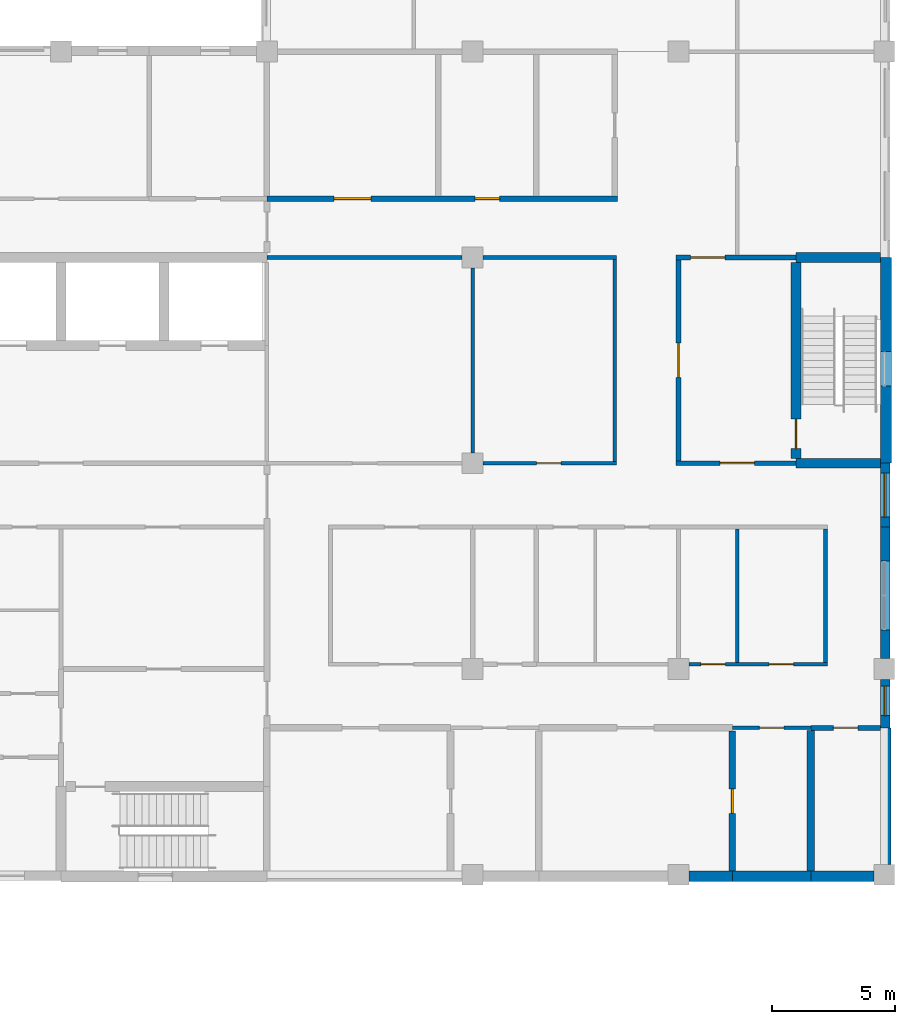
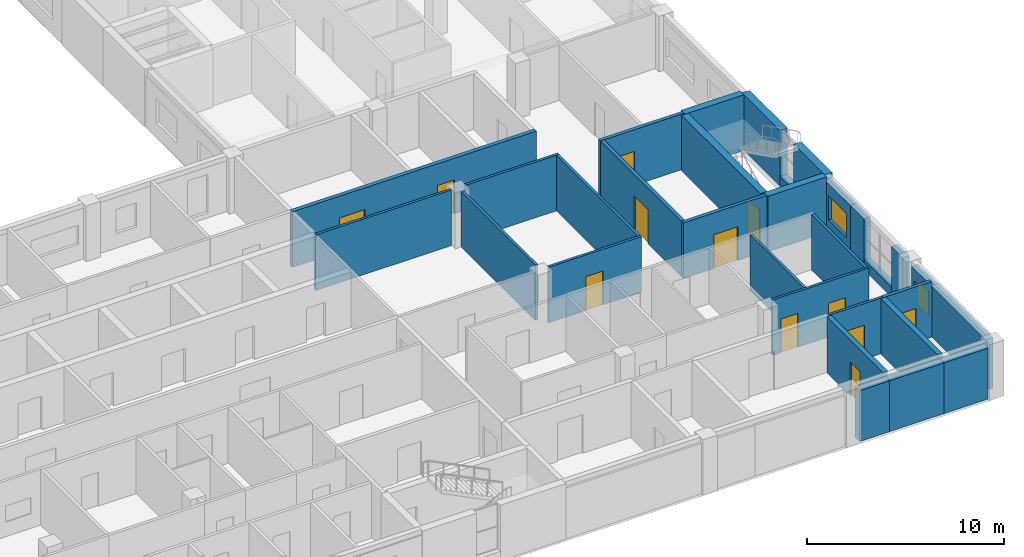
# One storey, part 72 of 94: 31 walls, 12 doors, 2 windows, 14 openings.
"""IFC4 building model written with IfcOpenShell, lengths in metres."""

from ifc_helpers import new_model, si_unit, direction, frame, frame_2d, origin, place, context, subcontext, project, spatial, rectangle, extrude, material, layer, layer_set, type_object, element, fill, save


model = new_model("IFC4")

# Units and contexts
model_context = context("Model", 3, precision=1e-05, world=origin(), true_north=direction((0.0, 1.0)))
body_context = subcontext(model_context, "Body", "Model", "MODEL_VIEW")
ifc_project = project(units=[si_unit("LENGTHUNIT", "METRE"), si_unit("AREAUNIT", "SQUARE_METRE"), si_unit("VOLUMEUNIT", "CUBIC_METRE"), si_unit("PLANEANGLEUNIT", "RADIAN"), si_unit("MASSUNIT", "GRAM", prefix="KILO")], contexts=[model_context])

# Site, building, storey
site_placement = place(None, origin())
site = spatial("IfcSite", under=ifc_project, at=site_placement, CompositionType="ELEMENT")
building_placement = place(site_placement, origin())
building = spatial("IfcBuilding", under=site, at=building_placement, Name="Yavir Park General Hospital", CompositionType="ELEMENT")
storey_placement = place(building_placement, frame((0.0, 0.0, 4.5)))
storey = spatial("IfcBuildingStorey", under=building, at=storey_placement, Name="L01", CompositionType="ELEMENT", Elevation=4.5)

# Wall, opening, door
ifc_material_1 = material(Name="Double gypsum board fire partition on steel studs", Category="steel")
ifc_layer_1 = layer(ifc_material_1, 0.199951171875)
ifc_layer_set_1 = layer_set([ifc_layer_1], Name="Double gypsum board fire partition on steel studs")
wall_type_1 = type_object("IfcWallType", Name="Fire-rated partition 200, EI 60", PredefinedType="PARTITIONING", material=ifc_layer_set_1)
wall_1_placement = place(storey_placement, frame((159.5, 16.800048828125, 0.0), z_axis=(0.0, 0.0, 1.0), x_axis=(1.0, 0.0, 0.0)))
wall_1 = element("IfcWall", 1, at=wall_1_placement, inside=storey, type_object=wall_type_1, Name="FP20 L01-085", PredefinedType="PARTITIONING", context=body_context, shape_type="SweptSolid", body=[
    extrude(rectangle(XDim=4.89990234375, YDim=0.199951171875, at=frame_2d((2.449951171875, 0.0))), origin(), (0.0, 0.0, 1.0), 3.449951171875),
])
opening_1_placement = place(wall_1_placement, frame((1.800048828125, 0.0, 0.0)))
opening_1 = element("IfcOpeningElement", 2, at=opening_1_placement, cuts=wall_1, Name="Opening L01.D098", PredefinedType="OPENING", context=body_context, shape_type="SweptSolid", body=[
    extrude(rectangle(XDim=1.39990234375, YDim=2.10009765625, at=frame_2d((0.699951171875, 1.050048828125))), frame((0.0, 0.10986328125, 0.0), z_axis=(0.0, -1.0, 0.0), x_axis=(1.0, 0.0, 0.0)), (0.0, 0.0, 1.0), 0.219970703125),
])
ifc_material_2 = material(Name="Steel frame, fire-resisting leaves with vision panels", Category="steel")
door_type_1 = type_object("IfcDoorType", Name="Double fire door with vision panels 1400 x 2100, EI 60", OperationType="DOUBLE_DOOR_SINGLE_SWING", PredefinedType="DOOR", material=ifc_material_2)
door_1_placement = place(opening_1_placement, origin())
door_1 = element("IfcDoor", 3, at=door_1_placement, inside=storey, type_object=door_type_1, Name="L01.D098", OperationType="SINGLE_SWING_RIGHT", OverallHeight=2.10009765625, OverallWidth=1.39990234375, PredefinedType="DOOR", context=body_context, shape_type="SweptSolid", body=[
    extrude(rectangle(XDim=1.39990234375, YDim=2.10009765625, at=frame_2d((0.699951171875, 1.050048828125))), frame((0.0, 0.030029296875, 0.0), z_axis=(0.0, -1.0, 0.0), x_axis=(1.0, 0.0, 0.0)), (0.0, 0.0, 1.0), 0.06005859375),
])
fill(opening_1, door_1)

wall_2_placement = place(storey_placement, frame((159.5, 25.199951171875, 0.0), z_axis=(0.0, 0.0, 1.0), x_axis=(1.0, 0.0, 0.0)))
wall_2 = element("IfcWall", 4, at=wall_2_placement, inside=storey, type_object=wall_type_1, Name="FP20 L01-111", PredefinedType="PARTITIONING", context=body_context, shape_type="SweptSolid", body=[
    extrude(rectangle(XDim=4.89990234375, YDim=0.199951171875, at=frame_2d((2.449951171875, 0.0))), origin(), (0.0, 0.0, 1.0), 3.449951171875),
])
opening_2_placement = place(wall_2_placement, frame((0.60009765625, 0.0, 0.0)))
opening_2 = element("IfcOpeningElement", 5, at=opening_2_placement, cuts=wall_2, Name="Opening L01.D114", PredefinedType="OPENING", context=body_context, shape_type="SweptSolid", body=[
    extrude(rectangle(XDim=1.39990234375, YDim=2.10009765625, at=frame_2d((0.699951171875, 1.050048828125))), frame((0.0, 0.10986328125, 0.0), z_axis=(0.0, -1.0, 0.0), x_axis=(1.0, 0.0, 0.0)), (0.0, 0.0, 1.0), 0.219970703125),
])
door_2_placement = place(opening_2_placement, origin())
door_2 = element("IfcDoor", 6, at=door_2_placement, inside=storey, type_object=door_type_1, Name="L01.D114", OperationType="SINGLE_SWING_LEFT", OverallHeight=2.10009765625, OverallWidth=1.39990234375, PredefinedType="DOOR", context=body_context, shape_type="SweptSolid", body=[
    extrude(rectangle(XDim=1.39990234375, YDim=2.10009765625, at=frame_2d((0.699951171875, 1.050048828125))), frame((0.0, 0.030029296875, 0.0), z_axis=(0.0, -1.0, 0.0), x_axis=(1.0, 0.0, 0.0)), (0.0, 0.0, 1.0), 0.06005859375),
])
fill(opening_2, door_2)

wall_3_placement = place(storey_placement, frame((159.60009765625, 16.89990234375, 0.0), z_axis=(0.0, 0.0, 1.0), x_axis=(0.0, 1.0, 0.0)))
wall_3 = element("IfcWall", 7, at=wall_3_placement, inside=storey, type_object=wall_type_1, Name="FP20 L01-494", PredefinedType="PARTITIONING", context=body_context, shape_type="SweptSolid", body=[
    extrude(rectangle(XDim=8.2001953125, YDim=0.199951171875, at=frame_2d((4.10009765625, 0.0))), origin(), (0.0, 0.0, 1.0), 3.449951171875),
])
opening_3_placement = place(wall_3_placement, frame((3.39990234375, 0.0, 0.0)))
opening_3 = element("IfcOpeningElement", 8, at=opening_3_placement, cuts=wall_3, Name="Opening L01.D293", PredefinedType="OPENING", context=body_context, shape_type="SweptSolid", body=[
    extrude(rectangle(XDim=1.39990234375, YDim=2.10009765625, at=frame_2d((0.699951171875, 1.050048828125))), frame((0.0, 0.10986328125, 0.0), z_axis=(0.0, -1.0, 0.0), x_axis=(1.0, 0.0, 0.0)), (0.0, 0.0, 1.0), 0.219970703125),
])
door_3_placement = place(opening_3_placement, origin())
door_3 = element("IfcDoor", 9, at=door_3_placement, inside=storey, type_object=door_type_1, Name="L01.D293", OperationType="SINGLE_SWING_LEFT", OverallHeight=2.10009765625, OverallWidth=1.39990234375, PredefinedType="DOOR", context=body_context, shape_type="SweptSolid", body=[
    extrude(rectangle(XDim=1.39990234375, YDim=2.10009765625, at=frame_2d((0.699951171875, 1.050048828125))), frame((0.0, 0.030029296875, 0.0), z_axis=(0.0, -1.0, 0.0), x_axis=(1.0, 0.0, 0.0)), (0.0, 0.0, 1.0), 0.06005859375),
])
fill(opening_3, door_3)

ifc_material_3 = material(Name="Gypsum board partition on steel studs", Category="steel")
ifc_layer_2 = layer(ifc_material_3, 0.14990234375)
ifc_layer_set_2 = layer_set([ifc_layer_2], Name="Gypsum board partition on steel studs")
wall_type_2 = type_object("IfcWallType", Name="Gypsum board partition 150", PredefinedType="PARTITIONING", material=ifc_layer_set_2)
wall_4_placement = place(storey_placement, frame((161.800048828125, 6.0, 0.0), z_axis=(0.0, 0.0, 1.0), x_axis=(1.0, 0.0, 0.0)))
wall_4 = element("IfcWall", 10, at=wall_4_placement, inside=storey, type_object=wall_type_2, Name="P15 L01-013", PredefinedType="PARTITIONING", context=body_context, shape_type="SweptSolid", body=[
    extrude(rectangle(XDim=3.199951171875, YDim=0.14990234375, at=frame_2d((1.60009765625, 0.0))), origin(), (0.0, 0.0, 1.0), 3.449951171875),
])
opening_4_placement = place(wall_4_placement, frame((1.10009765625, 0.0, 0.0)))
opening_4 = element("IfcOpeningElement", 11, at=opening_4_placement, cuts=wall_4, Name="Opening L01.D034", PredefinedType="OPENING", context=body_context, shape_type="SweptSolid", body=[
    extrude(rectangle(XDim=1.0, YDim=2.10009765625, at=frame_2d((0.5, 1.050048828125))), frame((0.0, 0.0849609375, 0.0), z_axis=(0.0, -1.0, 0.0), x_axis=(1.0, 0.0, 0.0)), (0.0, 0.0, 1.0), 0.169921875),
])
ifc_material_4 = material(Name="Hollow metal frame, solid-core timber leaf", Category="wood")
door_type_2 = type_object("IfcDoorType", Name="Single swing door 1000 x 2100", OperationType="SINGLE_SWING_LEFT", PredefinedType="DOOR", material=ifc_material_4)
door_4_placement = place(opening_4_placement, origin())
door_4 = element("IfcDoor", 12, at=door_4_placement, inside=storey, type_object=door_type_2, Name="L01.D034", OperationType="SINGLE_SWING_LEFT", OverallHeight=2.10009765625, OverallWidth=1.0, PredefinedType="DOOR", context=body_context, shape_type="SweptSolid", body=[
    extrude(rectangle(XDim=1.0, YDim=2.10009765625, at=frame_2d((0.5, 1.050048828125))), frame((0.0, 0.02490234375, 0.0), z_axis=(0.0, -1.0, 0.0), x_axis=(1.0, 0.0, 0.0)), (0.0, 0.0, 1.0), 0.050048828125),
])
fill(opening_4, door_4)

# Wall, openings, doors
wall_5_placement = place(storey_placement, frame((160.02490234375, 8.60009765625, 0.0), z_axis=(0.0, 0.0, 1.0), x_axis=(1.0, 0.0, 0.0)))
wall_5 = element("IfcWall", 13, at=wall_5_placement, inside=storey, type_object=wall_type_2, Name="P15 L01-040", PredefinedType="PARTITIONING", context=body_context, shape_type="SweptSolid", body=[
    extrude(rectangle(XDim=5.650146484375, YDim=0.14990234375, at=frame_2d((2.8251953125, 0.0))), origin(), (0.0, 0.0, 1.0), 3.449951171875),
])
opening_5_placement = place(wall_5_placement, frame((0.487548828125, 0.0, 0.0)))
opening_5 = element("IfcOpeningElement", 14, at=opening_5_placement, cuts=wall_5, Name="Opening L01.D056", PredefinedType="OPENING", context=body_context, shape_type="SweptSolid", body=[
    extrude(rectangle(XDim=1.0, YDim=2.10009765625, at=frame_2d((0.5, 1.050048828125))), frame((0.0, 0.0849609375, 0.0), z_axis=(0.0, -1.0, 0.0), x_axis=(1.0, 0.0, 0.0)), (0.0, 0.0, 1.0), 0.169921875),
])
opening_6_placement = place(wall_5_placement, frame((3.27490234375, 0.0, 0.0)))
opening_6 = element("IfcOpeningElement", 15, at=opening_6_placement, cuts=wall_5, Name="Opening L01.D057", PredefinedType="OPENING", context=body_context, shape_type="SweptSolid", body=[
    extrude(rectangle(XDim=1.0, YDim=2.10009765625, at=frame_2d((0.5, 1.050048828125))), frame((0.0, 0.0849609375, 0.0), z_axis=(0.0, -1.0, 0.0), x_axis=(1.0, 0.0, 0.0)), (0.0, 0.0, 1.0), 0.169921875),
])
door_5_placement = place(opening_5_placement, origin())
door_5 = element("IfcDoor", 16, at=door_5_placement, inside=storey, type_object=door_type_2, Name="L01.D056", OperationType="SINGLE_SWING_LEFT", OverallHeight=2.10009765625, OverallWidth=1.0, PredefinedType="DOOR", context=body_context, shape_type="SweptSolid", body=[
    extrude(rectangle(XDim=1.0, YDim=2.10009765625, at=frame_2d((0.5, 1.050048828125))), frame((0.0, 0.02490234375, 0.0), z_axis=(0.0, -1.0, 0.0), x_axis=(1.0, 0.0, 0.0)), (0.0, 0.0, 1.0), 0.050048828125),
])
fill(opening_5, door_5)
door_6_placement = place(opening_6_placement, origin())
door_6 = element("IfcDoor", 17, at=door_6_placement, inside=storey, type_object=door_type_2, Name="L01.D057", OperationType="SINGLE_SWING_RIGHT", OverallHeight=2.10009765625, OverallWidth=1.0, PredefinedType="DOOR", context=body_context, shape_type="SweptSolid", body=[
    extrude(rectangle(XDim=1.0, YDim=2.10009765625, at=frame_2d((0.5, 1.050048828125))), frame((0.0, 0.02490234375, 0.0), z_axis=(0.0, -1.0, 0.0), x_axis=(1.0, 0.0, 0.0)), (0.0, 0.0, 1.0), 0.050048828125),
])
fill(opening_6, door_6)

# Wall, opening, door
wall_6_placement = place(storey_placement, frame((151.625, 16.800048828125, 0.0), z_axis=(0.0, 0.0, 1.0), x_axis=(1.0, 0.0, 0.0)))
wall_6 = element("IfcWall", 18, at=wall_6_placement, inside=storey, type_object=wall_type_2, Name="P15 L01-084", PredefinedType="PARTITIONING", context=body_context, shape_type="SweptSolid", body=[
    extrude(rectangle(XDim=5.449951171875, YDim=0.14990234375, at=frame_2d((2.72509765625, 0.0))), origin(), (0.0, 0.0, 1.0), 3.449951171875),
])
opening_7_placement = place(wall_6_placement, frame((2.1875, 0.0, 0.0)))
opening_7 = element("IfcOpeningElement", 19, at=opening_7_placement, cuts=wall_6, Name="Opening L01.D097", PredefinedType="OPENING", context=body_context, shape_type="SweptSolid", body=[
    extrude(rectangle(XDim=1.0, YDim=2.10009765625, at=frame_2d((0.5, 1.050048828125))), frame((0.0, 0.0849609375, 0.0), z_axis=(0.0, -1.0, 0.0), x_axis=(1.0, 0.0, 0.0)), (0.0, 0.0, 1.0), 0.169921875),
])
door_7_placement = place(opening_7_placement, origin())
door_7 = element("IfcDoor", 20, at=door_7_placement, inside=storey, type_object=door_type_2, Name="L01.D097", OperationType="SINGLE_SWING_LEFT", OverallHeight=2.10009765625, OverallWidth=1.0, PredefinedType="DOOR", context=body_context, shape_type="SweptSolid", body=[
    extrude(rectangle(XDim=1.0, YDim=2.10009765625, at=frame_2d((0.5, 1.050048828125))), frame((0.0, 0.02490234375, 0.0), z_axis=(0.0, -1.0, 0.0), x_axis=(1.0, 0.0, 0.0)), (0.0, 0.0, 1.0), 0.050048828125),
])
fill(opening_7, door_7)

# Walls
wall_7_placement = place(storey_placement, frame((151.625, 25.199951171875, 0.0), z_axis=(0.0, 0.0, 1.0), x_axis=(1.0, 0.0, 0.0)))
element("IfcWall", 21, at=wall_7_placement, inside=storey, type_object=wall_type_2, Name="P15 L01-110", PredefinedType="PARTITIONING", context=body_context, shape_type="SweptSolid", body=[
    extrude(rectangle(XDim=5.449951171875, YDim=0.14990234375, at=frame_2d((2.72509765625, 0.0))), origin(), (0.0, 0.0, 1.0), 3.449951171875),
])
wall_8_placement = place(storey_placement, frame((157.0, 16.875, 0.0), z_axis=(0.0, 0.0, 1.0), x_axis=(0.0, 1.0, 0.0)))
element("IfcWall", 22, at=wall_8_placement, inside=storey, type_object=wall_type_2, Name="P15 L01-486", PredefinedType="PARTITIONING", context=body_context, shape_type="SweptSolid", body=[
    extrude(rectangle(XDim=8.25, YDim=0.14990234375, at=frame_2d((4.125, 0.0))), origin(), (0.0, 0.0, 1.0), 3.449951171875),
])
for number, where, z_axis, x_axis, name in (
    (23, (162.0, 8.675048828125, 0.0), (0.0, 0.0, 1.0), (0.0, 1.0, 0.0), "P15 L01-500"),
    (24, (165.60009765625, 8.675048828125, 0.0), (0.0, 0.0, 1.0), (0.0, 1.0, 0.0), "P15 L01-511"),
):
    element("IfcWall", number, at=place(storey_placement, frame(where, z_axis=z_axis, x_axis=x_axis)), inside=storey, type_object=wall_type_2, Name=name, PredefinedType="PARTITIONING", context=body_context, shape_type="SweptSolid", body=[
        extrude(rectangle(XDim=5.449951171875, YDim=0.14990234375, at=frame_2d((2.72509765625, 0.0))), origin(), (0.0, 0.0, 1.0), 3.449951171875),
    ])

# Wall, openings, doors
ifc_material_5 = material(Name="Dense aggregate block wall, lead-lined")
ifc_layer_3 = layer(ifc_material_5, 0.22509765625)
ifc_layer_set_3 = layer_set([ifc_layer_3], Name="Dense aggregate block wall, lead-lined")
wall_type_3 = type_object("IfcWallType", Name="Lead-lined dense block shielding wall 225, EI 60", PredefinedType="SOLIDWALL", material=ifc_layer_set_3)
wall_9_placement = place(storey_placement, frame((142.800048828125, 27.60009765625, 0.0), z_axis=(0.0, 0.0, 1.0), x_axis=(1.0, 0.0, 0.0)))
wall_9 = element("IfcWall", 25, at=wall_9_placement, inside=storey, type_object=wall_type_3, Name="LH225 L01-121", PredefinedType="SOLIDWALL", context=body_context, shape_type="SweptSolid", body=[
    extrude(rectangle(XDim=14.3125, YDim=0.22509765625, at=frame_2d((7.15625, 0.0))), origin(), (0.0, 0.0, 1.0), 3.449951171875),
])
opening_8_placement = place(wall_9_placement, frame((2.75, 0.0, 0.0)))
opening_8 = element("IfcOpeningElement", 26, at=opening_8_placement, cuts=wall_9, Name="Opening L01.D139", PredefinedType="OPENING", context=body_context, shape_type="SweptSolid", body=[
    extrude(rectangle(XDim=1.5, YDim=2.10009765625, at=frame_2d((0.75, 1.050048828125))), frame((0.0, 0.12255859375, 0.0), z_axis=(0.0, -1.0, 0.0), x_axis=(1.0, 0.0, 0.0)), (0.0, 0.0, 1.0), 0.2451171875),
])
opening_9_placement = place(wall_9_placement, frame((8.5, 0.0, 0.0)))
opening_9 = element("IfcOpeningElement", 27, at=opening_9_placement, cuts=wall_9, Name="Opening L01.D140", PredefinedType="OPENING", context=body_context, shape_type="SweptSolid", body=[
    extrude(rectangle(XDim=1.0, YDim=2.10009765625, at=frame_2d((0.5, 1.050048828125))), frame((0.0, 0.12255859375, 0.0), z_axis=(0.0, -1.0, 0.0), x_axis=(1.0, 0.0, 0.0)), (0.0, 0.0, 1.0), 0.2451171875),
])
ifc_material_6 = material(Name="Lead-lined steel door leaf, 2.5 mm lead", Category="steel")
door_type_3 = type_object("IfcDoorType", Name="Lead-lined door 1000 x 2100, EI 60", OperationType="SINGLE_SWING_LEFT", PredefinedType="DOOR", material=ifc_material_6)
door_8_placement = place(opening_9_placement, origin())
door_8 = element("IfcDoor", 28, at=door_8_placement, inside=storey, type_object=door_type_3, Name="L01.D140", OperationType="SINGLE_SWING_RIGHT", OverallHeight=2.10009765625, OverallWidth=1.0, PredefinedType="DOOR", context=body_context, shape_type="SweptSolid", body=[
    extrude(rectangle(XDim=1.0, YDim=2.10009765625, at=frame_2d((0.5, 1.050048828125))), frame((0.0, 0.0400390625, 0.0), z_axis=(0.0, -1.0, 0.0), x_axis=(1.0, 0.0, 0.0)), (0.0, 0.0, 1.0), 0.080078125),
])
fill(opening_9, door_8)
ifc_material_7 = material(Name="Lead-lined steel door leaves, 2.5 mm lead", Category="steel")
door_type_4 = type_object("IfcDoorType", Name="Lead-lined double door 1500 x 2100, EI 60", OperationType="DOUBLE_DOOR_SINGLE_SWING", PredefinedType="DOOR", material=ifc_material_7)
door_9_placement = place(opening_8_placement, origin())
door_9 = element("IfcDoor", 29, at=door_9_placement, inside=storey, type_object=door_type_4, Name="L01.D139", OperationType="SINGLE_SWING_RIGHT", OverallHeight=2.10009765625, OverallWidth=1.5, PredefinedType="DOOR", context=body_context, shape_type="SweptSolid", body=[
    extrude(rectangle(XDim=1.5, YDim=2.10009765625, at=frame_2d((0.75, 1.050048828125))), frame((0.0, 0.0400390625, 0.0), z_axis=(0.0, -1.0, 0.0), x_axis=(1.0, 0.0, 0.0)), (0.0, 0.0, 1.0), 0.080078125),
])
fill(opening_8, door_9)

# Walls
ifc_material_8 = material(Name="Concrete C30/37 precast panel with 3 mm lead sheet lining and mineral wool insulation", Category="concrete")
ifc_layer_4 = layer(ifc_material_8, 0.425048828125)
ifc_layer_set_4 = layer_set([ifc_layer_4], Name="Concrete C30/37 precast panel with 3 mm lead sheet lining and mineral wool insulation")
wall_type_4 = type_object("IfcWallType", Name="Lead-lined imaging room wall 425, E 30", PredefinedType="SOLIDWALL", material=ifc_layer_set_4)
wall_10_placement = place(storey_placement, frame((160.02490234375, -0.0625, 0.0), z_axis=(0.0, 0.0, 1.0), x_axis=(1.0, 0.0, 0.0)))
element("IfcWall", 30, at=wall_10_placement, inside=storey, type_object=wall_type_4, Name="XW8 L01-049", PredefinedType="SOLIDWALL", context=body_context, shape_type="SweptSolid", body=[
    extrude(rectangle(XDim=1.775146484375, YDim=0.425048828125, at=frame_2d((0.8876953125, 0.0))), origin(), (0.0, 0.0, 1.0), 3.14990234375),
])
wall_11_placement = place(storey_placement, frame((161.800048828125, -0.0625, 0.0), z_axis=(0.0, 0.0, 1.0), x_axis=(1.0, 0.0, 0.0)))
element("IfcWall", 31, at=wall_11_placement, inside=storey, type_object=wall_type_4, Name="XW8 L01-050", PredefinedType="SOLIDWALL", context=body_context, shape_type="SweptSolid", body=[
    extrude(rectangle(XDim=3.199951171875, YDim=0.425048828125, at=frame_2d((1.60009765625, 0.0))), origin(), (0.0, 0.0, 1.0), 3.14990234375),
])
wall_12_placement = place(storey_placement, frame((165.0, -0.0625, 0.0), z_axis=(0.0, 0.0, 1.0), x_axis=(1.0, 0.0, 0.0)))
element("IfcWall", 32, at=wall_12_placement, inside=storey, type_object=wall_type_4, Name="XW8 L01-051", PredefinedType="SOLIDWALL", context=body_context, shape_type="SweptSolid", body=[
    extrude(rectangle(XDim=2.574951171875, YDim=0.425048828125, at=frame_2d((1.28759765625, 0.0))), origin(), (0.0, 0.0, 1.0), 3.14990234375),
])
wall_13_placement = place(storey_placement, frame((168.0625, 0.425048828125, 0.0), z_axis=(0.0, 0.0, 1.0), x_axis=(0.0, 1.0, 0.0)))
element("IfcWall", 33, at=wall_13_placement, inside=storey, type_object=wall_type_4, Name="XW8 L01-208", PredefinedType="SOLIDWALL", context=body_context, shape_type="SweptSolid", body=[
    extrude(rectangle(XDim=5.574951171875, YDim=0.425048828125, at=frame_2d((2.78759765625, 0.0))), origin(), (0.0, 0.0, 1.0), 3.14990234375),
])
ifc_material_9 = material(Name="Lead-lined gypsum board shielding partition")
ifc_layer_5 = layer(ifc_material_9, 0.14990234375)
ifc_layer_set_5 = layer_set([ifc_layer_5], Name="Lead-lined gypsum board shielding partition")
wall_type_5 = type_object("IfcWallType", Name="Lead-lined shielding partition 150, EI 60", PredefinedType="PARTITIONING", material=ifc_layer_set_5)
wall_14_placement = place(storey_placement, frame((142.800048828125, 25.199951171875, 0.0), z_axis=(0.0, 0.0, 1.0), x_axis=(1.0, 0.0, 0.0)))
element("IfcWall", 34, at=wall_14_placement, inside=storey, type_object=wall_type_5, Name="LL150 L01-109", PredefinedType="PARTITIONING", context=body_context, shape_type="SweptSolid", body=[
    extrude(rectangle(XDim=7.974853515625, YDim=0.14990234375, at=frame_2d((3.9873046875, 0.0))), origin(), (0.0, 0.0, 1.0), 3.449951171875),
])
wall_15_placement = place(storey_placement, frame((151.199951171875, 17.22509765625, 0.0), z_axis=(0.0, 0.0, 1.0), x_axis=(0.0, 1.0, 0.0)))
element("IfcWall", 35, at=wall_15_placement, inside=storey, type_object=wall_type_5, Name="LL150 L01-472", PredefinedType="PARTITIONING", context=body_context, shape_type="SweptSolid", body=[
    extrude(rectangle(XDim=7.5498046875, YDim=0.14990234375, at=frame_2d((3.77490234375, 0.0))), origin(), (0.0, 0.0, 1.0), 3.449951171875),
])

# Wall, opening, door
ifc_material_10 = material(Name="Lead-lined block wall, 3 mm lead sheet, RF-sealed")
ifc_layer_6 = layer(ifc_material_10, 0.27490234375)
ifc_layer_set_6 = layer_set([ifc_layer_6], Name="Lead-lined block wall, 3 mm lead sheet, RF-sealed")
wall_type_6 = type_object("IfcWallType", Name="Lead-lined shielding wall 275, EI 60", PredefinedType="SOLIDWALL", material=ifc_layer_set_6)
wall_16_placement = place(storey_placement, frame((161.800048828125, 0.14990234375, 0.0), z_axis=(0.0, 0.0, 1.0), x_axis=(0.0, 1.0, 0.0)))
wall_16 = element("IfcWall", 36, at=wall_16_placement, inside=storey, type_object=wall_type_6, Name="LC275 L01-499", PredefinedType="SOLIDWALL", context=body_context, shape_type="SweptSolid", body=[
    extrude(rectangle(XDim=5.712646484375, YDim=0.27490234375, at=frame_2d((2.8564453125, 0.0))), origin(), (0.0, 0.0, 1.0), 3.449951171875),
])
opening_10_placement = place(wall_16_placement, frame((2.356201171875, 0.0, 0.0)))
opening_10 = element("IfcOpeningElement", 37, at=opening_10_placement, cuts=wall_16, Name="Opening L01.D298", PredefinedType="OPENING", context=body_context, shape_type="SweptSolid", body=[
    extrude(rectangle(XDim=1.0, YDim=2.10009765625, at=frame_2d((0.5, 1.050048828125))), frame((0.0, 0.1474609375, 0.0), z_axis=(0.0, -1.0, 0.0), x_axis=(1.0, 0.0, 0.0)), (0.0, 0.0, 1.0), 0.294921875),
])
door_10_placement = place(opening_10_placement, origin())
door_10 = element("IfcDoor", 38, at=door_10_placement, inside=storey, type_object=door_type_3, Name="L01.D298", OperationType="SINGLE_SWING_LEFT", OverallHeight=2.10009765625, OverallWidth=1.0, PredefinedType="DOOR", context=body_context, shape_type="SweptSolid", body=[
    extrude(rectangle(XDim=1.0, YDim=2.10009765625, at=frame_2d((0.5, 1.050048828125))), frame((0.0, 0.0400390625, 0.0), z_axis=(0.0, -1.0, 0.0), x_axis=(1.0, 0.0, 0.0)), (0.0, 0.0, 1.0), 0.080078125),
])
fill(opening_10, door_10)

ifc_material_11 = material(Name="Clay block masonry infill", Category="masonry")
ifc_layer_7 = layer(ifc_material_11, 0.199951171875)
ifc_layer_set_7 = layer_set([ifc_layer_7], Name="Clay block masonry infill")
wall_type_7 = type_object("IfcWallType", Name="Masonry infill wall 200", PredefinedType="SOLIDWALL", material=ifc_layer_set_7)
wall_17_placement = place(storey_placement, frame((165.0, 6.0, 0.0), z_axis=(0.0, 0.0, 1.0), x_axis=(1.0, 0.0, 0.0)))
wall_17 = element("IfcWall", 39, at=wall_17_placement, inside=storey, type_object=wall_type_7, Name="MW20 L01-014", PredefinedType="SOLIDWALL", context=body_context, shape_type="SweptSolid", body=[
    extrude(rectangle(XDim=2.85009765625, YDim=0.199951171875, at=frame_2d((1.425048828125, 0.0))), origin(), (0.0, 0.0, 1.0), 3.449951171875),
])
opening_11_placement = place(wall_17_placement, frame((0.925048828125, 0.0, 0.0)))
opening_11 = element("IfcOpeningElement", 40, at=opening_11_placement, cuts=wall_17, Name="Opening L01.D035", PredefinedType="OPENING", context=body_context, shape_type="SweptSolid", body=[
    extrude(rectangle(XDim=1.0, YDim=2.10009765625, at=frame_2d((0.5, 1.050048828125))), frame((0.0, 0.10986328125, 0.0), z_axis=(0.0, -1.0, 0.0), x_axis=(1.0, 0.0, 0.0)), (0.0, 0.0, 1.0), 0.219970703125),
])
door_11_placement = place(opening_11_placement, origin())
door_11 = element("IfcDoor", 41, at=door_11_placement, inside=storey, type_object=door_type_2, Name="L01.D035", OperationType="SINGLE_SWING_LEFT", OverallHeight=2.10009765625, OverallWidth=1.0, PredefinedType="DOOR", context=body_context, shape_type="SweptSolid", body=[
    extrude(rectangle(XDim=1.0, YDim=2.10009765625, at=frame_2d((0.5, 1.050048828125))), frame((0.0, 0.02490234375, 0.0), z_axis=(0.0, -1.0, 0.0), x_axis=(1.0, 0.0, 0.0)), (0.0, 0.0, 1.0), 0.050048828125),
])
fill(opening_11, door_11)

# Wall, opening, window
ifc_material_12 = material(Name="Autoclaved aerated block, 150 mm mineral wool and sand-coloured mineral render")
ifc_layer_8 = layer(ifc_material_12, 0.375)
ifc_layer_set_8 = layer_set([ifc_layer_8], Name="Autoclaved aerated block, 150 mm mineral wool and sand-coloured mineral render")
wall_type_8 = type_object("IfcWallType", Name="Mineral render clinical wall 375, E 30", PredefinedType="SOLIDWALL", material=ifc_layer_set_8)
wall_18_placement = place(storey_placement, frame((168.03759765625, 6.0, 0.0), z_axis=(0.0, 0.0, 1.0), x_axis=(0.0, 1.0, 0.0)))
wall_18 = element("IfcWall", 42, at=wall_18_placement, inside=storey, type_object=wall_type_8, Name="XW1 L01-209", PredefinedType="SOLIDWALL", context=body_context, shape_type="SweptSolid", body=[
    extrude(rectangle(XDim=1.97509765625, YDim=0.375, at=frame_2d((0.987548828125, 0.0))), origin(), (0.0, 0.0, 1.0), 3.14990234375),
])
opening_12_placement = place(wall_18_placement, frame((0.5, 0.0, 0.89990234375)))
opening_12 = element("IfcOpeningElement", 43, at=opening_12_placement, cuts=wall_18, Name="Opening WD", PredefinedType="OPENING", context=body_context, shape_type="SweptSolid", body=[
    extrude(rectangle(XDim=1.199951171875, YDim=1.5, at=frame_2d((0.60009765625, 0.75))), frame((0.0, 0.197509765625, 0.0), z_axis=(0.0, -1.0, 0.0), x_axis=(1.0, 0.0, 0.0)), (0.0, 0.0, 1.0), 0.39501953125),
])
ifc_material_13 = material(Name="Aluminium frame, double glazed unit", Category="aluminium")
window_type_1 = type_object("IfcWindowType", Name="Office window 1200 x 1500", PartitioningType="SINGLE_PANEL", PredefinedType="WINDOW", material=ifc_material_13)
window_1_placement = place(opening_12_placement, origin())
window_1 = element("IfcWindow", 44, at=window_1_placement, inside=storey, type_object=window_type_1, Name="WD L01-111", OverallHeight=1.5, OverallWidth=1.199951171875, PartitioningType="SINGLE_PANEL", PredefinedType="WINDOW", context=body_context, shape_type="SweptSolid", body=[
    extrude(rectangle(XDim=1.199951171875, YDim=1.5, at=frame_2d((0.60009765625, 0.75))), frame((0.0, 0.030029296875, 0.0), z_axis=(0.0, -1.0, 0.0), x_axis=(1.0, 0.0, 0.0)), (0.0, 0.0, 1.0), 0.06005859375),
])
fill(opening_12, window_1)

# Walls
wall_19_placement = place(storey_placement, frame((168.03759765625, 8.824951171875, 0.0), z_axis=(0.0, 0.0, 1.0), x_axis=(0.0, 1.0, 0.0)))
element("IfcWall", 45, at=wall_19_placement, inside=storey, type_object=wall_type_8, Name="XW1 L01-210", PredefinedType="SOLIDWALL", context=body_context, shape_type="SweptSolid", body=[
    extrude(rectangle(XDim=1.175048828125, YDim=0.375, at=frame_2d((0.58740234375, 0.0))), origin(), (0.0, 0.0, 1.0), 3.14990234375),
])
wall_20_placement = place(storey_placement, frame((168.03759765625, 12.800048828125, 0.0), z_axis=(0.0, 0.0, 1.0), x_axis=(0.0, 1.0, 0.0)))
element("IfcWall", 46, at=wall_20_placement, inside=storey, type_object=wall_type_8, Name="XW1 L01-211", PredefinedType="SOLIDWALL", context=body_context, shape_type="SweptSolid", body=[
    extrude(rectangle(XDim=1.39990234375, YDim=0.375, at=frame_2d((0.699951171875, 0.0))), origin(), (0.0, 0.0, 1.0), 3.14990234375),
])
wall_21_placement = place(storey_placement, frame((168.03759765625, 10.0, 0.0), z_axis=(0.0, 0.0, 1.0), x_axis=(0.0, 1.0, 0.0)))
element("IfcWall", 47, at=wall_21_placement, inside=storey, type_object=wall_type_8, Name="XW1 L01-212", PredefinedType="SOLIDWALL", context=body_context, shape_type="SweptSolid", body=[
    extrude(rectangle(XDim=2.800048828125, YDim=0.375, at=frame_2d((1.39990234375, 0.0))), origin(), (0.0, 0.0, 1.0), 0.60009765625),
])

# Wall, opening, window
wall_22_placement = place(storey_placement, frame((168.03759765625, 14.199951171875, 0.0), z_axis=(0.0, 0.0, 1.0), x_axis=(0.0, 1.0, 0.0)))
wall_22 = element("IfcWall", 48, at=wall_22_placement, inside=storey, type_object=wall_type_8, Name="XW1 L01-213", PredefinedType="SOLIDWALL", context=body_context, shape_type="SweptSolid", body=[
    extrude(rectangle(XDim=2.60009765625, YDim=0.375, at=frame_2d((1.300048828125, 0.0))), origin(), (0.0, 0.0, 1.0), 3.14990234375),
])
opening_13_placement = place(wall_22_placement, frame((0.39990234375, 0.0, 0.89990234375)))
opening_13 = element("IfcOpeningElement", 49, at=opening_13_placement, cuts=wall_22, Name="Opening WG", PredefinedType="OPENING", context=body_context, shape_type="SweptSolid", body=[
    extrude(rectangle(XDim=1.800048828125, YDim=1.5, at=frame_2d((0.89990234375, 0.75))), frame((0.0, 0.197509765625, 0.0), z_axis=(0.0, -1.0, 0.0), x_axis=(1.0, 0.0, 0.0)), (0.0, 0.0, 1.0), 0.39501953125),
])
ifc_material_14 = material(Name="Aluminium frame, double glazed unit", Category="aluminium")
window_type_2 = type_object("IfcWindowType", Name="Single-bay window 1800 x 1500", PartitioningType="DOUBLE_PANEL_VERTICAL", PredefinedType="WINDOW", material=ifc_material_14)
window_2_placement = place(opening_13_placement, origin())
window_2 = element("IfcWindow", 50, at=window_2_placement, inside=storey, type_object=window_type_2, Name="WG L01-112", OverallHeight=1.5, OverallWidth=1.800048828125, PartitioningType="DOUBLE_PANEL_VERTICAL", PredefinedType="WINDOW", context=body_context, shape_type="SweptSolid", body=[
    extrude(rectangle(XDim=1.800048828125, YDim=1.5, at=frame_2d((0.89990234375, 0.75))), frame((0.0, 0.030029296875, 0.0), z_axis=(0.0, -1.0, 0.0), x_axis=(1.0, 0.0, 0.0)), (0.0, 0.0, 1.0), 0.06005859375),
])
fill(opening_13, window_2)

# Walls
ifc_material_15 = material(Name="Dense block wall, cavity filled, acoustic render")
ifc_layer_9 = layer(ifc_material_15, 0.300048828125)
ifc_layer_set_9 = layer_set([ifc_layer_9], Name="Dense block wall, cavity filled, acoustic render")
wall_type_9 = type_object("IfcWallType", Name="Plant room acoustic block wall 300", PredefinedType="SOLIDWALL", material=ifc_layer_set_9)
wall_23_placement = place(storey_placement, frame((165.0, 0.14990234375, 0.0), z_axis=(0.0, 0.0, 1.0), x_axis=(0.0, 1.0, 0.0)))
element("IfcWall", 51, at=wall_23_placement, inside=storey, type_object=wall_type_9, Name="AB300 L01-510", PredefinedType="SOLIDWALL", context=body_context, shape_type="SweptSolid", body=[
    extrude(rectangle(XDim=5.75, YDim=0.300048828125, at=frame_2d((2.875, 0.0))), origin(), (0.0, 0.0, 1.0), 3.449951171875),
])
ifc_material_16 = material(Name="Concrete C35/45", Category="concrete")
ifc_layer_10 = layer(ifc_material_16, 0.39990234375)
ifc_layer_set_10 = layer_set([ifc_layer_10], Name="Concrete C35/45")
wall_type_10 = type_object("IfcWallType", Name="Reinforced concrete core wall 400, REI 150", PredefinedType="SHEAR", material=ifc_layer_set_10)
for number, where, z_axis, x_axis, name in (
    (52, (164.39990234375, 16.800048828125, 0.0), (0.0, 0.0, 1.0), (1.0, 0.0, 0.0), "CW40 L01-086"),
    (53, (164.39990234375, 25.199951171875, 0.0), (0.0, 0.0, 1.0), (1.0, 0.0, 0.0), "CW40 L01-112"),
):
    element("IfcWall", number, at=place(storey_placement, frame(where, z_axis=z_axis, x_axis=x_axis)), inside=storey, type_object=wall_type_10, Name=name, PredefinedType="SHEAR", context=body_context, shape_type="SweptSolid", body=[
        extrude(rectangle(XDim=3.4501953125, YDim=0.39990234375, at=frame_2d((1.72509765625, 0.0))), origin(), (0.0, 0.0, 1.0), 3.449951171875),
    ])

# Wall, opening, door
wall_24_placement = place(storey_placement, frame((164.39990234375, 17.0, 0.0), z_axis=(0.0, 0.0, 1.0), x_axis=(0.0, 1.0, 0.0)))
wall_24 = element("IfcWall", 54, at=wall_24_placement, inside=storey, type_object=wall_type_10, Name="CW40 L01-506", PredefinedType="SHEAR", context=body_context, shape_type="SweptSolid", body=[
    extrude(rectangle(XDim=8.0, YDim=0.39990234375, at=frame_2d((4.0, 0.0))), origin(), (0.0, 0.0, 1.0), 3.449951171875),
])
opening_14_placement = place(wall_24_placement, frame((0.39990234375, 0.0, 0.0)))
opening_14 = element("IfcOpeningElement", 55, at=opening_14_placement, cuts=wall_24, Name="Opening L01.D308", PredefinedType="OPENING", context=body_context, shape_type="SweptSolid", body=[
    extrude(rectangle(XDim=1.199951171875, YDim=2.10009765625, at=frame_2d((0.60009765625, 1.050048828125))), frame((0.0, 0.2099609375, 0.0), z_axis=(0.0, -1.0, 0.0), x_axis=(1.0, 0.0, 0.0)), (0.0, 0.0, 1.0), 0.419921875),
])
ifc_material_17 = material(Name="Steel frame, fire-resisting timber leaf", Category="steel")
door_type_5 = type_object("IfcDoorType", Name="Fire door 1200 x 2100, EI 60", OperationType="SINGLE_SWING_LEFT", PredefinedType="DOOR", material=ifc_material_17)
door_12_placement = place(opening_14_placement, origin())
door_12 = element("IfcDoor", 56, at=door_12_placement, inside=storey, type_object=door_type_5, Name="L01.D308", OperationType="SINGLE_SWING_LEFT", OverallHeight=2.10009765625, OverallWidth=1.199951171875, PredefinedType="DOOR", context=body_context, shape_type="SweptSolid", body=[
    extrude(rectangle(XDim=1.199951171875, YDim=2.10009765625, at=frame_2d((0.60009765625, 1.050048828125))), frame((0.0, 0.02490234375, 0.0), z_axis=(0.0, -1.0, 0.0), x_axis=(1.0, 0.0, 0.0)), (0.0, 0.0, 1.0), 0.050048828125),
])
fill(opening_14, door_12)

# Walls
ifc_material_18 = material(Name="Concrete C30/37 precast panel with 150 mm mineral wool insulation", Category="concrete")
ifc_layer_11 = layer(ifc_material_18, 0.449951171875)
ifc_layer_set_11 = layer_set([ifc_layer_11], Name="Concrete C30/37 precast panel with 150 mm mineral wool insulation")
wall_type_11 = type_object("IfcWallType", Name="Stair enclosure wall 450, REI 150", PredefinedType="SOLIDWALL", material=ifc_layer_set_11)
wall_25_placement = place(storey_placement, frame((168.074951171875, 16.800048828125, 0.0), z_axis=(0.0, 0.0, 1.0), x_axis=(0.0, 1.0, 0.0)))
element("IfcWall", 57, at=wall_25_placement, inside=storey, type_object=wall_type_11, Name="XW6 L01-214", PredefinedType="SOLIDWALL", context=body_context, shape_type="SweptSolid", body=[
    extrude(rectangle(XDim=3.14990234375, YDim=0.449951171875, at=frame_2d((1.574951171875, 0.0))), origin(), (0.0, 0.0, 1.0), 3.449951171875),
])
wall_26_placement = place(storey_placement, frame((168.074951171875, 21.35009765625, 0.0), z_axis=(0.0, 0.0, 1.0), x_axis=(0.0, 1.0, 0.0)))
element("IfcWall", 58, at=wall_26_placement, inside=storey, type_object=wall_type_11, Name="XW6 L01-215", PredefinedType="SOLIDWALL", context=body_context, shape_type="SweptSolid", body=[
    extrude(rectangle(XDim=3.849853515625, YDim=0.449951171875, at=frame_2d((1.9248046875, 0.0))), origin(), (0.0, 0.0, 1.0), 3.449951171875),
])
wall_27_placement = place(storey_placement, frame((168.074951171875, 19.949951171875, 0.0), z_axis=(0.0, 0.0, 1.0), x_axis=(0.0, 1.0, 0.0)))
element("IfcWall", 59, at=wall_27_placement, inside=storey, type_object=wall_type_11, Name="XW6 L01-216", PredefinedType="SOLIDWALL", context=body_context, shape_type="SweptSolid", body=[
    extrude(rectangle(XDim=1.400146484375, YDim=0.449951171875, at=frame_2d((0.7001953125, 0.0))), origin(), (0.0, 0.0, 1.0), 0.60009765625),
])

save(model, "model.ifc")
